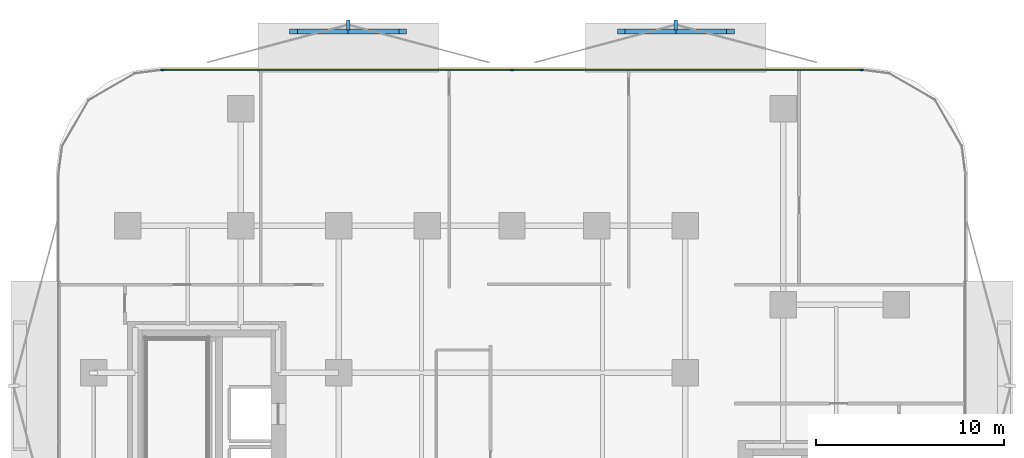
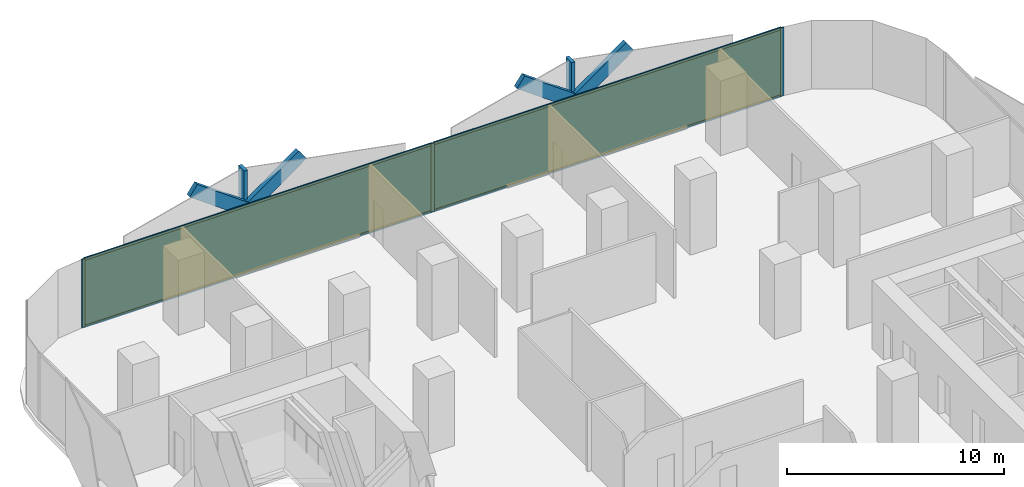
# One storey, part 11 of 16: 13 members, 2 plates, 1 curtain wall.
"""IFC4 building model written with IfcOpenShell, lengths in metres."""

from ifc_helpers import new_model, si_unit, direction, frame, frame_2d, origin, origin_2d, place, context, subcontext, project, spatial, rectangle, extrude, material, layer, layer_set, material_profile, profile_set, type_object, element, aggregate, save


model = new_model("IFC4")

# Units and contexts
model_context = context("Model", 3, precision=1e-05, world=origin(), true_north=direction((0.0, 1.0)))
body_context = subcontext(model_context, "Body", "Model", "MODEL_VIEW")
ifc_project = project(units=[si_unit("LENGTHUNIT", "METRE"), si_unit("AREAUNIT", "SQUARE_METRE"), si_unit("VOLUMEUNIT", "CUBIC_METRE"), si_unit("PLANEANGLEUNIT", "RADIAN"), si_unit("MASSUNIT", "GRAM", prefix="KILO")], contexts=[model_context])

# Member
ifc_material_1 = material(Name="Anodised Bronze Aluminium 6063-T6", Category="aluminium")
ifc_material_profile_1 = material_profile(ifc_material_1, rectangle(XDim=0.260009765625, YDim=0.699951171875, at=origin_2d()))
ifc_profile_set_1 = profile_set([ifc_material_profile_1], Name="Anodised Bronze Aluminium 6063-T6")
member_type_1 = type_object("IfcMemberType", Name="Bronze Diamond Solar-Screen Lattice Rib BDL-700", PredefinedType="MULLION", material=ifc_profile_set_1)
site_placement = place(None, origin())
building_placement = place(site_placement, origin())
storey_placement = place(building_placement, frame((0.0, 0.0, 80.60009765625)))
member_1_placement = place(storey_placement, frame((-11.593994140625, 28.89990234375, -0.130126953125), z_axis=(0.809806906486, 0.0, 0.58669649241), x_axis=(0.0, 1.0, 0.0)))
member_1 = element("IfcMember", 1, at=member_1_placement, type_object=member_type_1, Name="L19 Bronze Diamond Solar Screen Lattice Rib 109A", PredefinedType="MULLION", context=body_context, shape_type="SweptSolid", body=[
    extrude(rectangle(XDim=0.260009765625, YDim=0.699951171875, at=origin_2d()), origin(), (0.0, 0.0, 1.0), 7.15869140625),
])

member_2_placement = place(storey_placement, frame((-5.796875, 28.89990234375, -0.130126953125), z_axis=(-0.809806906486, 0.0, 0.58669649241), x_axis=(0.0, -1.0, 0.0)))
member_2 = element("IfcMember", 2, at=member_2_placement, type_object=member_type_1, Name="L19 Bronze Diamond Solar Screen Lattice Rib 109B", PredefinedType="MULLION", context=body_context, shape_type="SweptSolid", body=[
    extrude(rectangle(XDim=0.260009765625, YDim=0.699951171875, at=origin_2d()), origin(), (0.0, 0.0, 1.0), 7.15869140625),
])

member_3_placement = place(storey_placement, frame((5.796875, 28.89990234375, -0.130126953125), z_axis=(0.809806906486, 0.0, 0.58669649241), x_axis=(0.0, 1.0, 0.0)))
member_3 = element("IfcMember", 3, at=member_3_placement, type_object=member_type_1, Name="L19 Bronze Diamond Solar Screen Lattice Rib 110A", PredefinedType="MULLION", context=body_context, shape_type="SweptSolid", body=[
    extrude(rectangle(XDim=0.260009765625, YDim=0.699951171875, at=origin_2d()), origin(), (0.0, 0.0, 1.0), 7.15869140625),
])

member_4_placement = place(storey_placement, frame((11.593994140625, 28.89990234375, -0.130126953125), z_axis=(-0.809806906486, 0.0, 0.58669649241), x_axis=(0.0, -1.0, 0.0)))
member_4 = element("IfcMember", 4, at=member_4_placement, type_object=member_type_1, Name="L19 Bronze Diamond Solar Screen Lattice Rib 110B", PredefinedType="MULLION", context=body_context, shape_type="SweptSolid", body=[
    extrude(rectangle(XDim=0.260009765625, YDim=0.699951171875, at=origin_2d()), origin(), (0.0, 0.0, 1.0), 7.15869140625),
])

ifc_material_2 = material(Name="Anodised Bronze Aluminium 6063-T6", Category="aluminium")
ifc_material_profile_2 = material_profile(ifc_material_2, rectangle(XDim=0.179931640625, YDim=0.5400390625, at=origin_2d()))
ifc_profile_set_2 = profile_set([ifc_material_profile_2], Name="Anodised Bronze Aluminium 6063-T6")
member_type_2 = type_object("IfcMemberType", Name="Bronze Solar-Screen Vertical Fold Fin BSF-540", PredefinedType="MULLION", material=ifc_profile_set_2)
member_5_placement = place(storey_placement, frame((-8.6953125, 29.239990234375, -0.130126953125), z_axis=(0.0, 0.0, 1.0), x_axis=(1.0, 0.0, 0.0)))
member_5 = element("IfcMember", 5, at=member_5_placement, type_object=member_type_2, Name="L19 Bronze Solar Screen Vertical Fin 109", PredefinedType="MULLION", context=body_context, shape_type="SweptSolid", body=[
    extrude(rectangle(XDim=0.179931640625, YDim=0.5400390625, at=origin_2d()), origin(), (0.0, 0.0, 1.0), 4.199951171875),
])

member_6_placement = place(storey_placement, frame((8.6953125, 29.239990234375, -0.130126953125), z_axis=(0.0, 0.0, 1.0), x_axis=(1.0, 0.0, 0.0)))
member_6 = element("IfcMember", 6, at=member_6_placement, type_object=member_type_2, Name="L19 Bronze Solar Screen Vertical Fin 110", PredefinedType="MULLION", context=body_context, shape_type="SweptSolid", body=[
    extrude(rectangle(XDim=0.179931640625, YDim=0.5400390625, at=origin_2d()), origin(), (0.0, 0.0, 1.0), 4.199951171875),
])

ifc_material_3 = material(Name="Anodised Bronze Aluminium 6063-T6", Category="aluminium")
ifc_material_profile_3 = material_profile(ifc_material_3, rectangle(XDim=0.06494140625, YDim=0.179931640625, at=origin_2d()))
ifc_profile_set_3 = profile_set([ifc_material_profile_3], Name="Anodised Bronze Aluminium 6063-T6")
member_type_3 = type_object("IfcMemberType", Name="CW-Z1 Mullion 65x180", PredefinedType="MULLION", material=ifc_profile_set_3)
member_7_placement = place(storey_placement, frame((-18.558349609375, 26.860107421875, 0.0), z_axis=(0.0, 0.0, 1.0), x_axis=(0.0, 1.0, 0.0)))
member_7 = element("IfcMember", 7, at=member_7_placement, type_object=member_type_3, Name="CW-Z1 mullion 1", PredefinedType="MULLION", context=body_context, shape_type="SweptSolid", body=[
    extrude(rectangle(XDim=0.06494140625, YDim=0.179931640625, at=origin_2d()), origin(), (0.0, 0.0, 1.0), 3.849853515625),
])

member_8_placement = place(storey_placement, frame((0.0, 26.860107421875, 0.0), z_axis=(0.0, 0.0, 1.0), x_axis=(0.0, 1.0, 0.0)))
member_8 = element("IfcMember", 8, at=member_8_placement, type_object=member_type_3, Name="CW-Z1 mullion 2", PredefinedType="MULLION", context=body_context, shape_type="SweptSolid", body=[
    extrude(rectangle(XDim=0.06494140625, YDim=0.179931640625, at=origin_2d()), origin(), (0.0, 0.0, 1.0), 3.849853515625),
])

member_9_placement = place(storey_placement, frame((18.558349609375, 26.860107421875, 0.0), z_axis=(0.0, 0.0, 1.0), x_axis=(0.0, 1.0, 0.0)))
member_9 = element("IfcMember", 9, at=member_9_placement, type_object=member_type_3, Name="CW-Z1 mullion 3", PredefinedType="MULLION", context=body_context, shape_type="SweptSolid", body=[
    extrude(rectangle(XDim=0.06494140625, YDim=0.179931640625, at=origin_2d()), origin(), (0.0, 0.0, 1.0), 3.849853515625),
])

ifc_material_4 = material(Name="Anodised Bronze Aluminium 6063-T6", Category="aluminium")
ifc_material_profile_4 = material_profile(ifc_material_4, rectangle(XDim=0.06494140625, YDim=0.139892578125, at=origin_2d()))
ifc_profile_set_4 = profile_set([ifc_material_profile_4], Name="Anodised Bronze Aluminium 6063-T6")
member_type_4 = type_object("IfcMemberType", Name="CW-Z1 Transom 65x140", PredefinedType="USERDEFINED", material=ifc_profile_set_4)
member_10_placement = place(storey_placement, frame((-18.52587890625, 26.860107421875, 0.032470703125), z_axis=(1.0, 0.0, 0.0), x_axis=(0.0, 1.0, 0.0)))
member_10 = element("IfcMember", 10, at=member_10_placement, type_object=member_type_4, Name="CW-Z1 transom 1.1", ObjectType="TRANSOM", PredefinedType="USERDEFINED", context=body_context, shape_type="SweptSolid", body=[
    extrude(rectangle(XDim=0.06494140625, YDim=0.139892578125, at=origin_2d()), origin(), (0.0, 0.0, 1.0), 18.493408203125),
])

member_11_placement = place(storey_placement, frame((-18.52587890625, 26.860107421875, 3.8173828125), z_axis=(1.0, 0.0, 0.0), x_axis=(0.0, 1.0, 0.0)))
member_11 = element("IfcMember", 11, at=member_11_placement, type_object=member_type_4, Name="CW-Z1 transom 1.2", ObjectType="TRANSOM", PredefinedType="USERDEFINED", context=body_context, shape_type="SweptSolid", body=[
    extrude(rectangle(XDim=0.06494140625, YDim=0.139892578125, at=origin_2d()), origin(), (0.0, 0.0, 1.0), 18.493408203125),
])

member_12_placement = place(storey_placement, frame((0.032470703125, 26.860107421875, 0.032470703125), z_axis=(1.0, 0.0, 0.0), x_axis=(0.0, 1.0, 0.0)))
member_12 = element("IfcMember", 12, at=member_12_placement, type_object=member_type_4, Name="CW-Z1 transom 2.1", ObjectType="TRANSOM", PredefinedType="USERDEFINED", context=body_context, shape_type="SweptSolid", body=[
    extrude(rectangle(XDim=0.06494140625, YDim=0.139892578125, at=origin_2d()), origin(), (0.0, 0.0, 1.0), 18.493408203125),
])

member_13_placement = place(storey_placement, frame((0.032470703125, 26.860107421875, 3.8173828125), z_axis=(1.0, 0.0, 0.0), x_axis=(0.0, 1.0, 0.0)))
member_13 = element("IfcMember", 13, at=member_13_placement, type_object=member_type_4, Name="CW-Z1 transom 2.2", ObjectType="TRANSOM", PredefinedType="USERDEFINED", context=body_context, shape_type="SweptSolid", body=[
    extrude(rectangle(XDim=0.06494140625, YDim=0.139892578125, at=origin_2d()), origin(), (0.0, 0.0, 1.0), 18.493408203125),
])

# Plate
ifc_material_5 = material(Name="Low-E Solar Control Laminated Glass", Category="glass")
ifc_layer_1 = layer(ifc_material_5, 0.028076171875, Name="Low-E Solar Control Laminated Glass")
ifc_layer_set_1 = layer_set([ifc_layer_1], Name="Low-E Solar Control Laminated Glass")
plate_type = type_object("IfcPlateType", Name="CW-Z1 Low-E Double Glazed Panel 28mm", PredefinedType="CURTAIN_PANEL", material=ifc_layer_set_1)
plate_1_placement = place(storey_placement, frame((-9.279052734375, 26.860107421875, 0.06494140625), z_axis=(0.0, 0.0, 1.0), x_axis=(1.0, 0.0, 0.0)))
plate_1 = element("IfcPlate", 14, at=plate_1_placement, type_object=plate_type, Name="CW-Z1 panel 1.1", PredefinedType="CURTAIN_PANEL", context=body_context, shape_type="SweptSolid", body=[
    extrude(rectangle(XDim=18.493408203125, YDim=0.028076171875, at=origin_2d()), origin(), (0.0, 0.0, 1.0), 3.719970703125),
])

plate_2_placement = place(storey_placement, frame((9.279052734375, 26.860107421875, 0.06494140625), z_axis=(0.0, 0.0, 1.0), x_axis=(1.0, 0.0, 0.0)))
plate_2 = element("IfcPlate", 15, at=plate_2_placement, type_object=plate_type, Name="CW-Z1 panel 2.1", PredefinedType="CURTAIN_PANEL", context=body_context, shape_type="SweptSolid", body=[
    extrude(rectangle(XDim=18.493408203125, YDim=0.028076171875, at=origin_2d()), origin(), (0.0, 0.0, 1.0), 3.719970703125),
])

# Site, building, storey
site = spatial("IfcSite", under=ifc_project, at=site_placement, CompositionType="ELEMENT")
building = spatial("IfcBuilding", under=site, at=building_placement, Name="Khairoan Windgate Tower", CompositionType="ELEMENT")
storey = spatial("IfcBuildingStorey", under=building, at=storey_placement, Name="L19", CompositionType="ELEMENT", Elevation=80.60009765625)

# Curtain wall
ifc_material_6 = material(Name="Anodised Bronze Aluminium 6063-T6", Category="aluminium")
ifc_layer_2 = layer(ifc_material_6, 0.179931640625, Name="Anodised Bronze Aluminium 6063-T6")
ifc_layer_set_2 = layer_set([ifc_layer_2], Name="Anodised Bronze Aluminium 6063-T6")
curtain_wall_type = type_object("IfcCurtainWallType", Name="Low-Rise Office Unitised Curtain Wall CW-Z1", PredefinedType="NOTDEFINED", material=ifc_layer_set_2)
curtain_wall_placement = place(storey_placement, frame((-18.5908203125, 26.860107421875, 0.0), z_axis=(0.0, 0.0, 1.0), x_axis=(1.0, 0.0, 0.0)))
curtain_wall = element("IfcCurtainWall", 16, at=curtain_wall_placement, inside=storey, type_object=curtain_wall_type, Name="L19 Unitised Curtain Wall 11", PredefinedType="NOTDEFINED", context=body_context, shape_type="SweptSolid", body=[
    extrude(rectangle(XDim=37.181640625, YDim=0.010009765625, at=frame_2d((18.5908203125, 0.0))), origin(), (0.0, 0.0, 1.0), 3.849853515625),
])

aggregate(curtain_wall, [member_7, member_8, member_9, member_10, member_11, plate_1, member_12, member_13, plate_2, member_1, member_2, member_5, member_3, member_4, member_6])

save(model, "model.ifc")
